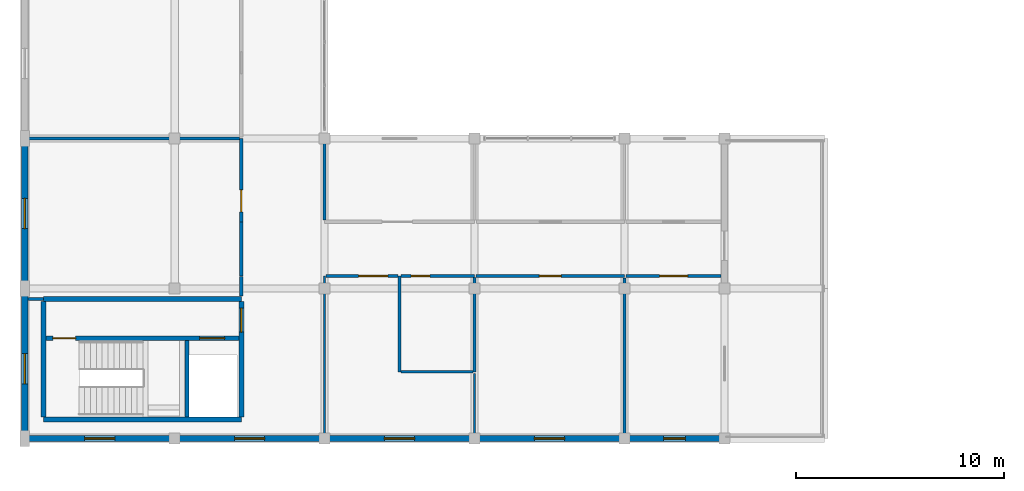
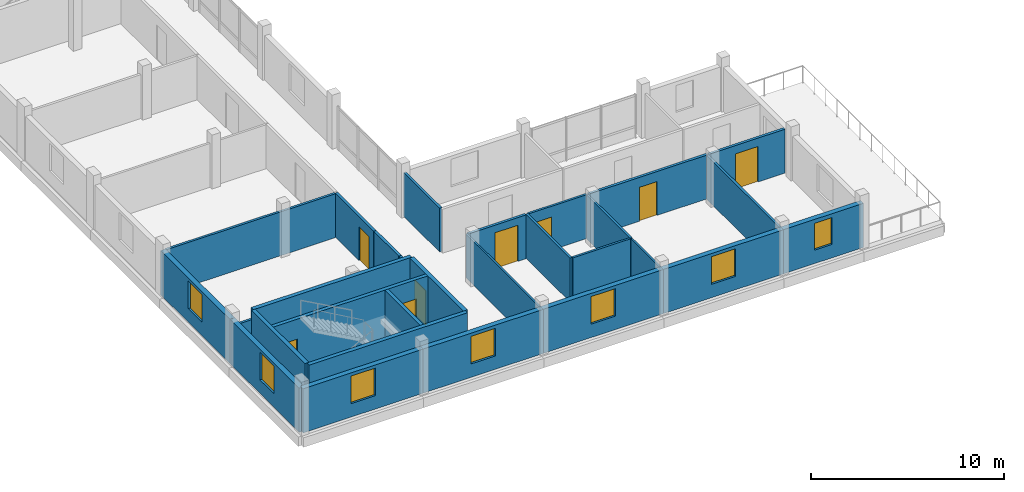
# One storey, part 19 of 26: 29 walls, 8 doors, 7 windows, 15 openings.
"""IFC4 building model written with IfcOpenShell, lengths in metres."""

import ifcopenshell
import ifcopenshell.guid

model = None  # the IFC model being written
_history = None  # IfcOwnerHistory: only IFC2X3 demands one
_inside = {}  # id of a spatial element -> (the spatial element, [elements in it])
_under = {}  # id of a project, library or spatial element -> (it, [spatial elements below it])
_declared = {}  # id of a project -> (the project, [libraries it declares])
_typed = {}  # id of a type object -> (the type object, [elements of that type])
_made_of = {}  # id of a material, layer set ... -> (it, [elements and type objects made of it])


def new_model(schema):
    """Start an empty IFC model of exactly this schema.

    Asked for "IFC4X3", IfcOpenShell would pick the latest addendum, in which some entities
    have other attributes; the version numbers below select the first issue.
    IFC2X3 requires an IfcOwnerHistory on every rooted entity: one is made here for all.
    """
    global model, _history
    if schema == "IFC4X3":
        model = ifcopenshell.file(schema_version=(4, 3, 0, 0))
    else:
        model = ifcopenshell.file(schema=schema)
    _inside.clear()
    _under.clear()
    _declared.clear()
    _typed.clear()
    _made_of.clear()
    _history = None
    if model.schema == "IFC2X3":
        org = make("IfcOrganization", Name="unknown")
        user = make(
            "IfcPersonAndOrganization",
            ThePerson=make("IfcPerson", FamilyName="unknown"),
            TheOrganization=org,
        )
        app = make(
            "IfcApplication",
            ApplicationDeveloper=org,
            Version="unknown",
            ApplicationFullName="unknown",
            ApplicationIdentifier="unknown",
        )
        _history = make(
            "IfcOwnerHistory",
            OwningUser=user,
            OwningApplication=app,
            ChangeAction="ADDED",
            CreationDate=0,
        )
    return model


def make(cls, **values):
    """One entity of the class cls with the attributes given. An attribute that is None is left unset."""
    return model.create_entity(
        cls, **{name: value for name, value in values.items() if value is not None}
    )


def rooted(cls, **values):
    """An entity with a GlobalId (a new one), such as an element, a storey or a relation."""
    return make(cls, GlobalId=ifcopenshell.guid.new(), OwnerHistory=_history, **values)


def si_unit(unit_type, name, prefix=None):
    """IfcSIUnit, for example si_unit("LENGTHUNIT", "METRE", prefix="MILLI")."""
    return make("IfcSIUnit", UnitType=unit_type, Prefix=prefix, Name=name)


def assignment(units):
    """IfcUnitAssignment: the units of a project."""
    return None if units is None else make("IfcUnitAssignment", Units=units)


def point(xyz):
    """IfcCartesianPoint."""
    return None if xyz is None else make("IfcCartesianPoint", Coordinates=xyz)


def direction(xyz):
    """IfcDirection."""
    return None if xyz is None else make("IfcDirection", DirectionRatios=xyz)


def frame(location, z_axis=None, x_axis=None):
    """IfcAxis2Placement3D, a coordinate frame: its origin and axes. An axis left out is left unset."""
    return make(
        "IfcAxis2Placement3D",
        Location=point(location),
        Axis=direction(z_axis),
        RefDirection=direction(x_axis),
    )


def frame_2d(location, x_axis=None):
    """IfcAxis2Placement2D, a coordinate frame in the plane: its origin and x axis."""
    return make(
        "IfcAxis2Placement2D", Location=point(location), RefDirection=direction(x_axis)
    )


def origin():
    """The frame at (0, 0, 0) with its axes left unset."""
    return frame((0.0, 0.0, 0.0))


def origin_with_axes():
    """The frame at (0, 0, 0) with the z axis (0, 0, 1) and the x axis (1, 0, 0) written out."""
    return frame((0.0, 0.0, 0.0), z_axis=(0.0, 0.0, 1.0), x_axis=(1.0, 0.0, 0.0))


def place(relative_to, where):
    """IfcLocalPlacement: puts the frame where relative to a parent placement (None: the world)."""
    return make(
        "IfcLocalPlacement", PlacementRelTo=relative_to, RelativePlacement=where
    )


def context(
    kind, dimensions, precision=None, world=None, true_north=None, identifier=None
):
    """IfcGeometricRepresentationContext, for example the 3D "Model" context."""
    return make(
        "IfcGeometricRepresentationContext",
        ContextIdentifier=identifier,
        ContextType=kind,
        CoordinateSpaceDimension=dimensions,
        Precision=precision,
        WorldCoordinateSystem=world,
        TrueNorth=true_north,
    )


def subcontext(parent, identifier, kind, view, scale=None):
    """IfcGeometricRepresentationSubContext, for example "Body" below "Model"."""
    return make(
        "IfcGeometricRepresentationSubContext",
        ContextIdentifier=identifier,
        ContextType=kind,
        ParentContext=parent,
        TargetScale=scale,
        TargetView=view,
    )


def project(units=None, contexts=None):
    """IfcProject with its units and contexts."""
    return rooted(
        "IfcProject",
        Name="project",
        RepresentationContexts=contexts,
        UnitsInContext=assignment(units),
    )


def spatial(cls, under=None, at=None, **own):
    """A site, building, storey or space (cls), placed at a placement, below another one or the project."""
    s = rooted(cls, ObjectPlacement=at, **own)
    if under is not None:
        _under.setdefault(under.id(), (under, []))[1].append(s)
    return s


def profile(cls, at=None, kind="AREA", **sizes):
    """A parametric profile (cls). Its sizes go by their IFC names, for example OverallWidth=200.0."""
    return make(cls, ProfileType=kind, Position=at, **sizes)


def rectangle(**sizes):
    """IfcRectangleProfileDef."""
    return profile("IfcRectangleProfileDef", **sizes)


def extrude(swept, where, along, depth):
    """IfcExtrudedAreaSolid: the profile swept, set in the frame where, extruded along a direction by depth."""
    return make(
        "IfcExtrudedAreaSolid",
        SweptArea=swept,
        Position=where,
        ExtrudedDirection=direction(along),
        Depth=depth,
    )


def shape(context_of_items, identifier, shape_type, items):
    """IfcShapeRepresentation: the items that make up one representation, for example the "Body"."""
    return make(
        "IfcShapeRepresentation",
        ContextOfItems=context_of_items,
        RepresentationIdentifier=identifier,
        RepresentationType=shape_type,
        Items=items,
    )


def material(Name=None, Category=None):
    """IfcMaterial."""
    return make("IfcMaterial", Name=Name, Category=Category)


def layer(
    of_material, thickness, ventilated=None, Name=None, Category=None, Priority=None
):
    """IfcMaterialLayer: one layer of a wall or slab, of a material (None: an air gap)."""
    return make(
        "IfcMaterialLayer",
        Material=of_material,
        LayerThickness=thickness,
        IsVentilated=ventilated,
        Name=Name,
        Category=Category,
        Priority=Priority,
    )


def layer_set(layers, Name=None):
    """IfcMaterialLayerSet."""
    return make("IfcMaterialLayerSet", MaterialLayers=layers, LayerSetName=Name)


def made_of(thing, what):
    """Note that an element or type object is made of a material, layer set ...; save() writes the relation."""
    if what is not None:
        _made_of.setdefault(what.id(), (what, []))[1].append(thing)
    return thing


def type_object(cls, material=None, **own):
    """A type object (cls), such as IfcWallType, which elements share."""
    return made_of(rooted(cls, **own), material)


def element(
    cls,
    number,
    at=None,
    inside=None,
    cuts=None,
    type_object=None,
    material=None,
    context=None,
    identifier="Body",
    shape_type=None,
    held_by="IfcProductDefinitionShape",
    body=None,
    shapes=None,
    **own,
):
    """One element of the class cls, such as IfcWall. Its Tag is "e" and its number.

    at: its placement. inside: the storey or other place that contains it. cuts: it is an
    opening in that element (IfcRelVoidsElement). A single representation is given by context,
    identifier, shape_type and body (its items); several are given by shapes. held_by: the class
    of the entity that holds the representations. save() writes the other relations.
    """
    e = rooted(cls, Tag="e%d" % number, ObjectPlacement=at, **own)
    if body is not None:
        shapes = [shape(context, identifier, shape_type, body)]
    if shapes is not None:
        e.Representation = make(held_by, Representations=shapes)
    if inside is not None:
        _inside.setdefault(inside.id(), (inside, []))[1].append(e)
    if cuts is not None:
        rooted(
            "IfcRelVoidsElement", RelatingBuildingElement=cuts, RelatedOpeningElement=e
        )
    if type_object is not None:
        _typed.setdefault(type_object.id(), (type_object, []))[1].append(e)
    return made_of(e, material)


def fill(opening, filler):
    """IfcRelFillsElement: the door or window that sits in an opening."""
    return rooted(
        "IfcRelFillsElement",
        RelatingOpeningElement=opening,
        RelatedBuildingElement=filler,
    )


def aggregate(whole, parts):
    """IfcRelAggregates: a whole, such as a stair, and the parts it consists of."""
    return rooted("IfcRelAggregates", RelatingObject=whole, RelatedObjects=parts)


def save(model, path):
    """Write the relations noted so far, then the file.

    IfcRelAggregates (storeys below a building ...), IfcRelContainedInSpatialStructure (elements
    in a storey), IfcRelDefinesByType, IfcRelAssociatesMaterial and IfcRelDeclares: one each for
    every whole, place, type object, material and project.
    """
    for whole, parts in _under.values():
        aggregate(whole, parts)
    for where, things in _inside.values():
        rooted(
            "IfcRelContainedInSpatialStructure",
            RelatedElements=things,
            RelatingStructure=where,
        )
    for kind, things in _typed.values():
        rooted("IfcRelDefinesByType", RelatedObjects=things, RelatingType=kind)
    for what, things in _made_of.values():
        rooted("IfcRelAssociatesMaterial", RelatedObjects=things, RelatingMaterial=what)
    for by, libraries in _declared.values():
        rooted("IfcRelDeclares", RelatingContext=by, RelatedDefinitions=libraries)
    model.write(path)


model = new_model("IFC4")

# Units and contexts
model_context = context("Model", 3, precision=1e-05, world=origin(), true_north=direction((0.0, 1.0)))
body_context = subcontext(model_context, "Body", "Model", "MODEL_VIEW")
ifc_project = project(units=[si_unit("LENGTHUNIT", "METRE"), si_unit("AREAUNIT", "SQUARE_METRE"), si_unit("VOLUMEUNIT", "CUBIC_METRE"), si_unit("PLANEANGLEUNIT", "RADIAN"), si_unit("MASSUNIT", "GRAM", prefix="KILO")], contexts=[model_context])

# Site, building, storey
site_placement = place(None, origin())
site = spatial("IfcSite", under=ifc_project, at=site_placement, CompositionType="ELEMENT")
building_placement = place(site_placement, origin())
building = spatial("IfcBuilding", under=site, at=building_placement, Name="Zornivar Specialist Clinic", CompositionType="ELEMENT")
storey_placement = place(building_placement, frame((0.0, 0.0, 19.699951171875)))
storey = spatial("IfcBuildingStorey", under=building, at=storey_placement, Name="L05", CompositionType="ELEMENT", Elevation=19.699951171875)

# Wall, opening, window
ifc_material_1 = material(Name="Masonry Timber-Clad Insulated Upper Cumba Wall", Category="masonry")
ifc_layer_1 = layer(ifc_material_1, 0.300048828125)
ifc_layer_set_1 = layer_set([ifc_layer_1], Name="Masonry Timber-Clad Insulated Upper Cumba Wall")
wall_type_1 = type_object("IfcWallType", Name="EW-CUMBA-300", PredefinedType="SOLIDWALL", material=ifc_layer_set_1)
wall_1_placement = place(storey_placement, origin_with_axes())
wall_1 = element("IfcWall", 1, at=wall_1_placement, inside=storey, type_object=wall_type_1, Name="ew:V2:L05:00", PredefinedType="SOLIDWALL", context=body_context, shape_type="SweptSolid", body=[
    extrude(rectangle(XDim=7.199951171875, YDim=0.300048828125, at=frame_2d((3.60009765625, 0.0))), origin(), (0.0, 0.0, 1.0), 2.800048828125),
])
opening_1_placement = place(wall_1_placement, frame((2.875, 0.0, 0.85009765625)))
opening_1 = element("IfcOpeningElement", 2, at=opening_1_placement, cuts=wall_1, Name="Opening W-08", PredefinedType="OPENING", context=body_context, shape_type="SweptSolid", body=[
    extrude(rectangle(XDim=1.449951171875, YDim=1.75, at=frame_2d((0.72509765625, 0.875))), frame((0.0, 0.159912109375, 0.0), z_axis=(0.0, -1.0, 0.0), x_axis=(1.0, 0.0, 0.0)), (0.0, 0.0, 1.0), 0.320068359375),
])
ifc_material_2 = material(Name="Triple-Glazed Aluminium-Timber Window Glass", Category="wood")
window_type_1 = type_object("IfcWindowType", Name="WIN-CUMBA-STREET-1450x1750", PartitioningType="SINGLE_PANEL", PredefinedType="WINDOW", material=ifc_material_2)
window_1_placement = place(opening_1_placement, origin())
window_1 = element("IfcWindow", 3, at=window_1_placement, inside=storey, type_object=window_type_1, Name="win:V2:L05:00", OverallHeight=1.75, OverallWidth=1.449951171875, PartitioningType="SINGLE_PANEL", PredefinedType="WINDOW", context=body_context, shape_type="SweptSolid", body=[
    extrude(rectangle(XDim=1.449951171875, YDim=1.75, at=frame_2d((0.72509765625, 0.875))), frame((0.0, 0.030029296875, 0.0), z_axis=(0.0, -1.0, 0.0), x_axis=(1.0, 0.0, 0.0)), (0.0, 0.0, 1.0), 0.06005859375),
])
fill(opening_1, window_1)

wall_2_placement = place(storey_placement, frame((7.199951171875, 0.0, 0.0), z_axis=(0.0, 0.0, 1.0), x_axis=(1.0, 0.0, 0.0)))
wall_2 = element("IfcWall", 4, at=wall_2_placement, inside=storey, type_object=wall_type_1, Name="ew:V2:L05:01", PredefinedType="SOLIDWALL", context=body_context, shape_type="SweptSolid", body=[
    extrude(rectangle(XDim=7.199951171875, YDim=0.300048828125, at=frame_2d((3.60009765625, 0.0))), origin(), (0.0, 0.0, 1.0), 2.800048828125),
])
opening_2_placement = place(wall_2_placement, frame((2.875, 0.0, 0.85009765625)))
opening_2 = element("IfcOpeningElement", 5, at=opening_2_placement, cuts=wall_2, Name="Opening W-08", PredefinedType="OPENING", context=body_context, shape_type="SweptSolid", body=[
    extrude(rectangle(XDim=1.449951171875, YDim=1.75, at=frame_2d((0.72509765625, 0.875))), frame((0.0, 0.159912109375, 0.0), z_axis=(0.0, -1.0, 0.0), x_axis=(1.0, 0.0, 0.0)), (0.0, 0.0, 1.0), 0.320068359375),
])
window_2_placement = place(opening_2_placement, origin())
window_2 = element("IfcWindow", 6, at=window_2_placement, inside=storey, type_object=window_type_1, Name="win:V2:L05:01", OverallHeight=1.75, OverallWidth=1.449951171875, PartitioningType="SINGLE_PANEL", PredefinedType="WINDOW", context=body_context, shape_type="SweptSolid", body=[
    extrude(rectangle(XDim=1.449951171875, YDim=1.75, at=frame_2d((0.72509765625, 0.875))), frame((0.0, 0.030029296875, 0.0), z_axis=(0.0, -1.0, 0.0), x_axis=(1.0, 0.0, 0.0)), (0.0, 0.0, 1.0), 0.06005859375),
])
fill(opening_2, window_2)

wall_3_placement = place(storey_placement, frame((14.39990234375, 0.0, 0.0), z_axis=(0.0, 0.0, 1.0), x_axis=(1.0, 0.0, 0.0)))
wall_3 = element("IfcWall", 7, at=wall_3_placement, inside=storey, type_object=wall_type_1, Name="ew:V2:L05:02", PredefinedType="SOLIDWALL", context=body_context, shape_type="SweptSolid", body=[
    extrude(rectangle(XDim=7.2001953125, YDim=0.300048828125, at=frame_2d((3.60009765625, 0.0))), origin(), (0.0, 0.0, 1.0), 2.800048828125),
])
opening_3_placement = place(wall_3_placement, frame((2.875, 0.0, 0.85009765625)))
opening_3 = element("IfcOpeningElement", 8, at=opening_3_placement, cuts=wall_3, Name="Opening W-08", PredefinedType="OPENING", context=body_context, shape_type="SweptSolid", body=[
    extrude(rectangle(XDim=1.449951171875, YDim=1.75, at=frame_2d((0.72509765625, 0.875))), frame((0.0, 0.159912109375, 0.0), z_axis=(0.0, -1.0, 0.0), x_axis=(1.0, 0.0, 0.0)), (0.0, 0.0, 1.0), 0.320068359375),
])
window_3_placement = place(opening_3_placement, origin())
window_3 = element("IfcWindow", 9, at=window_3_placement, inside=storey, type_object=window_type_1, Name="win:V2:L05:02", OverallHeight=1.75, OverallWidth=1.449951171875, PartitioningType="SINGLE_PANEL", PredefinedType="WINDOW", context=body_context, shape_type="SweptSolid", body=[
    extrude(rectangle(XDim=1.449951171875, YDim=1.75, at=frame_2d((0.72509765625, 0.875))), frame((0.0, 0.030029296875, 0.0), z_axis=(0.0, -1.0, 0.0), x_axis=(1.0, 0.0, 0.0)), (0.0, 0.0, 1.0), 0.06005859375),
])
fill(opening_3, window_3)

wall_4_placement = place(storey_placement, frame((21.60009765625, 0.0, 0.0), z_axis=(0.0, 0.0, 1.0), x_axis=(1.0, 0.0, 0.0)))
wall_4 = element("IfcWall", 10, at=wall_4_placement, inside=storey, type_object=wall_type_1, Name="ew:V2:L05:03", PredefinedType="SOLIDWALL", context=body_context, shape_type="SweptSolid", body=[
    extrude(rectangle(XDim=7.199951171875, YDim=0.300048828125, at=frame_2d((3.60009765625, 0.0))), origin(), (0.0, 0.0, 1.0), 2.800048828125),
])
opening_4_placement = place(wall_4_placement, frame((2.875, 0.0, 0.85009765625)))
opening_4 = element("IfcOpeningElement", 11, at=opening_4_placement, cuts=wall_4, Name="Opening W-08", PredefinedType="OPENING", context=body_context, shape_type="SweptSolid", body=[
    extrude(rectangle(XDim=1.449951171875, YDim=1.75, at=frame_2d((0.72509765625, 0.875))), frame((0.0, 0.159912109375, 0.0), z_axis=(0.0, -1.0, 0.0), x_axis=(1.0, 0.0, 0.0)), (0.0, 0.0, 1.0), 0.320068359375),
])
window_4_placement = place(opening_4_placement, origin())
window_4 = element("IfcWindow", 12, at=window_4_placement, inside=storey, type_object=window_type_1, Name="win:V2:L05:03", OverallHeight=1.75, OverallWidth=1.449951171875, PartitioningType="SINGLE_PANEL", PredefinedType="WINDOW", context=body_context, shape_type="SweptSolid", body=[
    extrude(rectangle(XDim=1.449951171875, YDim=1.75, at=frame_2d((0.72509765625, 0.875))), frame((0.0, 0.030029296875, 0.0), z_axis=(0.0, -1.0, 0.0), x_axis=(1.0, 0.0, 0.0)), (0.0, 0.0, 1.0), 0.06005859375),
])
fill(opening_4, window_4)

wall_5_placement = place(storey_placement, frame((28.800048828125, 0.0, 0.0), z_axis=(0.0, 0.0, 1.0), x_axis=(1.0, 0.0, 0.0)))
wall_5 = element("IfcWall", 13, at=wall_5_placement, inside=storey, type_object=wall_type_1, Name="ew:V2:L05:04", PredefinedType="SOLIDWALL", context=body_context, shape_type="SweptSolid", body=[
    extrude(rectangle(XDim=4.800048828125, YDim=0.300048828125, at=frame_2d((2.39990234375, 0.0))), origin(), (0.0, 0.0, 1.0), 2.800048828125),
])
opening_5_placement = place(wall_5_placement, frame((1.875, 0.0, 0.85009765625)))
opening_5 = element("IfcOpeningElement", 14, at=opening_5_placement, cuts=wall_5, Name="Opening W-10", PredefinedType="OPENING", context=body_context, shape_type="SweptSolid", body=[
    extrude(rectangle(XDim=1.050048828125, YDim=1.699951171875, at=frame_2d((0.52490234375, 0.85009765625))), frame((0.0, 0.159912109375, 0.0), z_axis=(0.0, -1.0, 0.0), x_axis=(1.0, 0.0, 0.0)), (0.0, 0.0, 1.0), 0.320068359375),
])
ifc_material_3 = material(Name="Triple-Glazed Aluminium-Timber Window Glass", Category="wood")
window_type_2 = type_object("IfcWindowType", Name="WIN-CUMBA-PIER-1050x1700", PartitioningType="SINGLE_PANEL", PredefinedType="WINDOW", material=ifc_material_3)
window_5_placement = place(opening_5_placement, origin())
window_5 = element("IfcWindow", 15, at=window_5_placement, inside=storey, type_object=window_type_2, Name="win:V2:L05:04", OverallHeight=1.699951171875, OverallWidth=1.050048828125, PartitioningType="SINGLE_PANEL", PredefinedType="WINDOW", context=body_context, shape_type="SweptSolid", body=[
    extrude(rectangle(XDim=1.050048828125, YDim=1.699951171875, at=frame_2d((0.52490234375, 0.85009765625))), frame((0.0, 0.030029296875, 0.0), z_axis=(0.0, -1.0, 0.0), x_axis=(1.0, 0.0, 0.0)), (0.0, 0.0, 1.0), 0.06005859375),
])
fill(opening_5, window_5)

wall_6_placement = place(storey_placement, frame((0.0, 14.39990234375, 0.0), z_axis=(0.0, 0.0, 1.0), x_axis=(0.0, -1.0, 0.0)))
wall_6 = element("IfcWall", 16, at=wall_6_placement, inside=storey, type_object=wall_type_1, Name="ew:V2:L05:22", PredefinedType="SOLIDWALL", context=body_context, shape_type="SweptSolid", body=[
    extrude(rectangle(XDim=7.199951171875, YDim=0.300048828125, at=frame_2d((3.60009765625, 0.0))), origin(), (0.0, 0.0, 1.0), 2.800048828125),
])
opening_6_placement = place(wall_6_placement, frame((2.875, 0.0, 0.85009765625)))
opening_6 = element("IfcOpeningElement", 17, at=opening_6_placement, cuts=wall_6, Name="Opening W-08", PredefinedType="OPENING", context=body_context, shape_type="SweptSolid", body=[
    extrude(rectangle(XDim=1.449951171875, YDim=1.75, at=frame_2d((0.72509765625, 0.875))), frame((0.0, 0.159912109375, 0.0), z_axis=(0.0, -1.0, 0.0), x_axis=(1.0, 0.0, 0.0)), (0.0, 0.0, 1.0), 0.320068359375),
])
window_6_placement = place(opening_6_placement, origin())
window_6 = element("IfcWindow", 18, at=window_6_placement, inside=storey, type_object=window_type_1, Name="win:V2:L05:22", OverallHeight=1.75, OverallWidth=1.449951171875, PartitioningType="SINGLE_PANEL", PredefinedType="WINDOW", context=body_context, shape_type="SweptSolid", body=[
    extrude(rectangle(XDim=1.449951171875, YDim=1.75, at=frame_2d((0.72509765625, 0.875))), frame((0.0, 0.030029296875, 0.0), z_axis=(0.0, -1.0, 0.0), x_axis=(1.0, 0.0, 0.0)), (0.0, 0.0, 1.0), 0.06005859375),
])
fill(opening_6, window_6)

wall_7_placement = place(storey_placement, frame((0.0, 7.199951171875, 0.0), z_axis=(0.0, 0.0, 1.0), x_axis=(0.0, -1.0, 0.0)))
wall_7 = element("IfcWall", 19, at=wall_7_placement, inside=storey, type_object=wall_type_1, Name="ew:V2:L05:23", PredefinedType="SOLIDWALL", context=body_context, shape_type="SweptSolid", body=[
    extrude(rectangle(XDim=7.199951171875, YDim=0.300048828125, at=frame_2d((3.60009765625, 0.0))), origin(), (0.0, 0.0, 1.0), 2.800048828125),
])
opening_7_placement = place(wall_7_placement, frame((3.125, 0.0, 0.85009765625)))
opening_7 = element("IfcOpeningElement", 20, at=opening_7_placement, cuts=wall_7, Name="Opening W-08", PredefinedType="OPENING", context=body_context, shape_type="SweptSolid", body=[
    extrude(rectangle(XDim=1.449951171875, YDim=1.75, at=frame_2d((0.72509765625, 0.875))), frame((0.0, 0.159912109375, 0.0), z_axis=(0.0, -1.0, 0.0), x_axis=(1.0, 0.0, 0.0)), (0.0, 0.0, 1.0), 0.320068359375),
])
window_7_placement = place(opening_7_placement, origin())
window_7 = element("IfcWindow", 21, at=window_7_placement, inside=storey, type_object=window_type_1, Name="win:V2:L05:23", OverallHeight=1.75, OverallWidth=1.449951171875, PartitioningType="SINGLE_PANEL", PredefinedType="WINDOW", context=body_context, shape_type="SweptSolid", body=[
    extrude(rectangle(XDim=1.449951171875, YDim=1.75, at=frame_2d((0.72509765625, 0.875))), frame((0.0, 0.030029296875, 0.0), z_axis=(0.0, -1.0, 0.0), x_axis=(1.0, 0.0, 0.0)), (0.0, 0.0, 1.0), 0.06005859375),
])
fill(opening_7, window_7)

# Walls
ifc_material_4 = material(Name="Acoustic Clinical Stud Partition")
ifc_layer_2 = layer(ifc_material_4, 0.139892578125)
ifc_layer_set_2 = layer_set([ifc_layer_2], Name="Acoustic Clinical Stud Partition")
wall_type_2 = type_object("IfcWallType", Name="IW-CLIN-140", PredefinedType="PARTITIONING", material=ifc_layer_set_2)
wall_8_placement = place(storey_placement, frame((0.89990234375, 6.699951171875, 0.0), z_axis=(0.0, 0.0, 1.0), x_axis=(-1.0, 0.0, 0.0)))
element("IfcWall", 22, at=wall_8_placement, inside=storey, type_object=wall_type_2, Name="iw:L05:003", PredefinedType="PARTITIONING", context=body_context, shape_type="SweptSolid", body=[
    extrude(rectangle(XDim=0.73486328125, YDim=0.139892578125, at=frame_2d((0.367431640625, 0.0))), origin(), (0.0, 0.0, 1.0), 2.780029296875),
])
wall_9_placement = place(storey_placement, frame((0.1650390625, 14.39990234375, 0.0), z_axis=(0.0, 0.0, 1.0), x_axis=(1.0, 0.0, 0.0)))
element("IfcWall", 23, at=wall_9_placement, inside=storey, type_object=wall_type_2, Name="iw:L05:004", PredefinedType="PARTITIONING", context=body_context, shape_type="SweptSolid", body=[
    extrude(rectangle(XDim=10.140869140625, YDim=0.139892578125, at=frame_2d((5.0703125, 0.0))), origin(), (0.0, 0.0, 1.0), 2.780029296875),
])
wall_10_placement = place(storey_placement, frame((14.39990234375, 10.493896484375, 0.0), z_axis=(0.0, 0.0, 1.0), x_axis=(0.0, 1.0, 0.0)))
element("IfcWall", 24, at=wall_10_placement, inside=storey, type_object=wall_type_2, Name="iw:L05:021", PredefinedType="PARTITIONING", context=body_context, shape_type="SweptSolid", body=[
    extrude(rectangle(XDim=3.7412109375, YDim=0.139892578125, at=frame_2d((1.87060546875, 0.0))), origin(), (0.0, 0.0, 1.0), 2.780029296875),
])
wall_11_placement = place(storey_placement, frame((28.800048828125, 7.7060546875, 0.0), z_axis=(0.0, 0.0, 1.0), x_axis=(0.0, -1.0, 0.0)))
element("IfcWall", 25, at=wall_11_placement, inside=storey, type_object=wall_type_2, Name="iw:L05:024", PredefinedType="PARTITIONING", context=body_context, shape_type="SweptSolid", body=[
    extrude(rectangle(XDim=7.541015625, YDim=0.139892578125, at=frame_2d((3.7705078125, 0.0))), origin(), (0.0, 0.0, 1.0), 2.780029296875),
])

# Wall, opening, door
ifc_material_5 = material(Name="Gypsum Fire-Rated Double Stud Partition")
ifc_layer_3 = layer(ifc_material_5, 0.159912109375)
ifc_layer_set_3 = layer_set([ifc_layer_3], Name="Gypsum Fire-Rated Double Stud Partition")
wall_type_3 = type_object("IfcWallType", Name="IW-CORR-EI60-160", PredefinedType="PARTITIONING", material=ifc_layer_set_3)
wall_12_placement = place(storey_placement, frame((10.39990234375, 14.39990234375, 0.0), z_axis=(0.0, 0.0, 1.0), x_axis=(0.0, -1.0, 0.0)))
wall_12 = element("IfcWall", 26, at=wall_12_placement, inside=storey, type_object=wall_type_3, Name="iw:L05:000", PredefinedType="PARTITIONING", context=body_context, shape_type="SweptSolid", body=[
    extrude(rectangle(XDim=4.0, YDim=0.159912109375, at=frame_2d((2.0, 0.0))), origin(), (0.0, 0.0, 1.0), 2.780029296875),
])
opening_8_placement = place(wall_12_placement, frame((2.469970703125, 0.0, 0.0)))
opening_8 = element("IfcOpeningElement", 27, at=opening_8_placement, cuts=wall_12, Name="Opening ID-03", PredefinedType="OPENING", context=body_context, shape_type="SweptSolid", body=[
    extrude(rectangle(XDim=1.050048828125, YDim=2.14990234375, at=frame_2d((0.52490234375, 1.074951171875))), frame((0.0, 0.08984375, 0.0), z_axis=(0.0, -1.0, 0.0), x_axis=(1.0, 0.0, 0.0)), (0.0, 0.0, 1.0), 0.179931640625),
])
ifc_material_6 = material(Name="Solid-Core Hygienic Laminate Timber Door", Category="wood")
door_type_1 = type_object("IfcDoorType", Name="ID-CONS-1050x2150", OperationType="NOTDEFINED", PredefinedType="DOOR", material=ifc_material_6)
door_1_placement = place(opening_8_placement, origin())
door_1 = element("IfcDoor", 28, at=door_1_placement, inside=storey, type_object=door_type_1, Name="door:space:V2:L05:rm:00", OperationType="SINGLE_SWING_LEFT", OverallHeight=2.14990234375, OverallWidth=1.050048828125, PredefinedType="DOOR", context=body_context, shape_type="SweptSolid", body=[
    extrude(rectangle(XDim=1.050048828125, YDim=2.14990234375, at=frame_2d((0.52490234375, 1.074951171875))), frame((0.0, 0.02490234375, 0.0), z_axis=(0.0, -1.0, 0.0), x_axis=(1.0, 0.0, 0.0)), (0.0, 0.0, 1.0), 0.050048828125),
])
fill(opening_8, door_1)

# Walls
wall_13_placement = place(storey_placement, frame((10.39990234375, 10.387939453125, 0.0), z_axis=(0.0, 0.0, 1.0), x_axis=(0.0, -1.0, 0.0)))
element("IfcWall", 29, at=wall_13_placement, inside=storey, type_object=wall_type_3, Name="iw:L05:001", PredefinedType="PARTITIONING", context=body_context, shape_type="SweptSolid", body=[
    extrude(rectangle(XDim=2.587890625, YDim=0.159912109375, at=frame_2d((1.2939453125, 0.0))), origin(), (0.0, 0.0, 1.0), 2.780029296875),
])
wall_14_placement = place(storey_placement, frame((10.39990234375, 7.7880859375, 0.0), z_axis=(0.0, 0.0, 1.0), x_axis=(0.0, -1.0, 0.0)))
element("IfcWall", 30, at=wall_14_placement, inside=storey, type_object=wall_type_3, Name="iw:L05:002", PredefinedType="PARTITIONING", context=body_context, shape_type="SweptSolid", body=[
    extrude(rectangle(XDim=0.953125, YDim=0.159912109375, at=frame_2d((0.4765625, 0.0))), origin(), (0.0, 0.0, 1.0), 2.780029296875),
])

# Wall, opening, door
wall_15_placement = place(storey_placement, frame((14.468994140625, 7.800048828125, 0.0), z_axis=(0.0, 0.0, 1.0), x_axis=(1.0, 0.0, 0.0)))
wall_15 = element("IfcWall", 31, at=wall_15_placement, inside=storey, type_object=wall_type_3, Name="iw:L05:018", PredefinedType="PARTITIONING", context=body_context, shape_type="SweptSolid", body=[
    extrude(rectangle(XDim=3.451904296875, YDim=0.159912109375, at=frame_2d((1.72607421875, 0.0))), origin(), (0.0, 0.0, 1.0), 2.780029296875),
])
opening_9_placement = place(wall_15_placement, frame((1.572021484375, 0.0, 0.0)))
opening_9 = element("IfcOpeningElement", 32, at=opening_9_placement, cuts=wall_15, Name="Opening ID-12", PredefinedType="OPENING", context=body_context, shape_type="SweptSolid", body=[
    extrude(rectangle(XDim=1.39990234375, YDim=2.300048828125, at=frame_2d((0.699951171875, 1.14990234375))), frame((0.0, 0.08984375, 0.0), z_axis=(0.0, -1.0, 0.0), x_axis=(1.0, 0.0, 0.0)), (0.0, 0.0, 1.0), 0.179931640625),
])
ifc_material_7 = material(Name="Solid-Core Hygienic Laminate Timber Door", Category="wood")
door_type_2 = type_object("IfcDoorType", Name="ID-WAIT-1400x2300", OperationType="NOTDEFINED", PredefinedType="DOOR", material=ifc_material_7)
door_2_placement = place(opening_9_placement, origin())
door_2 = element("IfcDoor", 33, at=door_2_placement, inside=storey, type_object=door_type_2, Name="door:space:V2:L05:rm:05b", OperationType="DOUBLE_DOOR_SINGLE_SWING", OverallHeight=2.300048828125, OverallWidth=1.39990234375, PredefinedType="DOOR", context=body_context, shape_type="SweptSolid", body=[
    extrude(rectangle(XDim=1.39990234375, YDim=2.300048828125, at=frame_2d((0.699951171875, 1.14990234375))), frame((0.0, 0.02490234375, 0.0), z_axis=(0.0, -1.0, 0.0), x_axis=(1.0, 0.0, 0.0)), (0.0, 0.0, 1.0), 0.050048828125),
])
fill(opening_9, door_2)

wall_16_placement = place(storey_placement, frame((21.678955078125, 7.800048828125, 0.0), z_axis=(0.0, 0.0, 1.0), x_axis=(1.0, 0.0, 0.0)))
wall_16 = element("IfcWall", 34, at=wall_16_placement, inside=storey, type_object=wall_type_3, Name="iw:L05:023", PredefinedType="PARTITIONING", context=body_context, shape_type="SweptSolid", body=[
    extrude(rectangle(XDim=7.12109375, YDim=0.159912109375, at=frame_2d((3.560546875, 0.0))), origin(), (0.0, 0.0, 1.0), 2.780029296875),
])
opening_10_placement = place(wall_16_placement, frame((3.035888671875, 0.0, 0.0)))
opening_10 = element("IfcOpeningElement", 35, at=opening_10_placement, cuts=wall_16, Name="Opening ID-03", PredefinedType="OPENING", context=body_context, shape_type="SweptSolid", body=[
    extrude(rectangle(XDim=1.050048828125, YDim=2.14990234375, at=frame_2d((0.52490234375, 1.074951171875))), frame((0.0, 0.08984375, 0.0), z_axis=(0.0, -1.0, 0.0), x_axis=(1.0, 0.0, 0.0)), (0.0, 0.0, 1.0), 0.179931640625),
])
door_3_placement = place(opening_10_placement, origin())
door_3 = element("IfcDoor", 36, at=door_3_placement, inside=storey, type_object=door_type_1, Name="door:space:V2:L05:rm:08", OperationType="SINGLE_SWING_LEFT", OverallHeight=2.14990234375, OverallWidth=1.050048828125, PredefinedType="DOOR", context=body_context, shape_type="SweptSolid", body=[
    extrude(rectangle(XDim=1.050048828125, YDim=2.14990234375, at=frame_2d((0.52490234375, 1.074951171875))), frame((0.0, 0.02490234375, 0.0), z_axis=(0.0, -1.0, 0.0), x_axis=(1.0, 0.0, 0.0)), (0.0, 0.0, 1.0), 0.050048828125),
])
fill(opening_10, door_3)

wall_17_placement = place(storey_placement, frame((28.884033203125, 7.800048828125, 0.0), z_axis=(0.0, 0.0, 1.0), x_axis=(1.0, 0.0, 0.0)))
wall_17 = element("IfcWall", 37, at=wall_17_placement, inside=storey, type_object=wall_type_3, Name="iw:L05:027", PredefinedType="PARTITIONING", context=body_context, shape_type="SweptSolid", body=[
    extrude(rectangle(XDim=4.551025390625, YDim=0.159912109375, at=frame_2d((2.275390625, 0.0))), origin(), (0.0, 0.0, 1.0), 2.780029296875),
])
opening_11_placement = place(wall_17_placement, frame((1.60107421875, 0.0, 0.0)))
opening_11 = element("IfcOpeningElement", 38, at=opening_11_placement, cuts=wall_17, Name="Opening ID-10", PredefinedType="OPENING", context=body_context, shape_type="SweptSolid", body=[
    extrude(rectangle(XDim=1.35009765625, YDim=2.25, at=frame_2d((0.675048828125, 1.125))), frame((0.0, 0.08984375, 0.0), z_axis=(0.0, -1.0, 0.0), x_axis=(1.0, 0.0, 0.0)), (0.0, 0.0, 1.0), 0.179931640625),
])
ifc_material_8 = material(Name="Solid-Core Hygienic Laminate Timber Door", Category="wood")
door_type_3 = type_object("IfcDoorType", Name="ID-TEACH-1350x2250", OperationType="NOTDEFINED", PredefinedType="DOOR", material=ifc_material_8)
door_4_placement = place(opening_11_placement, origin())
door_4 = element("IfcDoor", 39, at=door_4_placement, inside=storey, type_object=door_type_3, Name="door:space:V2:L05:rm:10", OperationType="SINGLE_SWING_LEFT", OverallHeight=2.25, OverallWidth=1.35009765625, PredefinedType="DOOR", context=body_context, shape_type="SweptSolid", body=[
    extrude(rectangle(XDim=1.35009765625, YDim=2.25, at=frame_2d((0.675048828125, 1.125))), frame((0.0, 0.02490234375, 0.0), z_axis=(0.0, -1.0, 0.0), x_axis=(1.0, 0.0, 0.0)), (0.0, 0.0, 1.0), 0.050048828125),
])
fill(opening_11, door_4)

# Walls
ifc_material_9 = material(Name="Acoustic Sub-Waiting Alcove Partition")
ifc_layer_4 = layer(ifc_material_9, 0.110107421875)
ifc_layer_set_4 = layer_set([ifc_layer_4], Name="Acoustic Sub-Waiting Alcove Partition")
wall_type_4 = type_object("IfcWallType", Name="IW-SUBWAIT-110", PredefinedType="PARTITIONING", material=ifc_layer_set_4)
wall_18_placement = place(storey_placement, frame((14.39990234375, 0.1650390625, 0.0), z_axis=(0.0, 0.0, 1.0), x_axis=(0.0, 1.0, 0.0)))
element("IfcWall", 40, at=wall_18_placement, inside=storey, type_object=wall_type_4, Name="iw:L05:017", PredefinedType="PARTITIONING", context=body_context, shape_type="SweptSolid", body=[
    extrude(rectangle(XDim=7.635009765625, YDim=0.110107421875, at=frame_2d((3.8173828125, 0.0))), origin(), (0.0, 0.0, 1.0), 2.780029296875),
])
wall_19_placement = place(storey_placement, frame((21.60009765625, 3.12109375, 0.0), z_axis=(0.0, 0.0, 1.0), x_axis=(0.0, -1.0, 0.0)))
element("IfcWall", 41, at=wall_19_placement, inside=storey, type_object=wall_type_4, Name="iw:L05:019", PredefinedType="PARTITIONING", context=body_context, shape_type="SweptSolid", body=[
    extrude(rectangle(XDim=2.9560546875, YDim=0.110107421875, at=frame_2d((1.47802734375, 0.0))), origin(), (0.0, 0.0, 1.0), 2.780029296875),
])
ifc_material_10 = material(Name="Moisture-Resistant Sanitary Partition")
ifc_layer_5 = layer(ifc_material_10, 0.1298828125)
ifc_layer_set_5 = layer_set([ifc_layer_5], Name="Moisture-Resistant Sanitary Partition")
wall_type_5 = type_object("IfcWallType", Name="IW-WET-130", PredefinedType="PARTITIONING", material=ifc_layer_set_5)
wall_20_placement = place(storey_placement, frame((18.0, 3.199951171875, 0.0), z_axis=(0.0, 0.0, 1.0), x_axis=(0.0, 1.0, 0.0)))
element("IfcWall", 42, at=wall_20_placement, inside=storey, type_object=wall_type_5, Name="iw:L05:013", PredefinedType="PARTITIONING", context=body_context, shape_type="SweptSolid", body=[
    extrude(rectangle(XDim=4.60009765625, YDim=0.1298828125, at=frame_2d((2.300048828125, 0.0))), origin(), (0.0, 0.0, 1.0), 2.780029296875),
])

# Wall, opening, door
wall_21_placement = place(storey_placement, frame((18.0791015625, 7.800048828125, 0.0), z_axis=(0.0, 0.0, 1.0), x_axis=(1.0, 0.0, 0.0)))
wall_21 = element("IfcWall", 43, at=wall_21_placement, inside=storey, type_object=wall_type_5, Name="iw:L05:014", PredefinedType="PARTITIONING", context=body_context, shape_type="SweptSolid", body=[
    extrude(rectangle(XDim=3.52099609375, YDim=0.1298828125, at=frame_2d((1.760498046875, 0.0))), origin(), (0.0, 0.0, 1.0), 2.780029296875),
])
opening_12_placement = place(wall_21_placement, frame((0.47998046875, 0.0, 0.0)))
opening_12 = element("IfcOpeningElement", 44, at=opening_12_placement, cuts=wall_21, Name="Opening ID-08", PredefinedType="OPENING", context=body_context, shape_type="SweptSolid", body=[
    extrude(rectangle(XDim=0.89990234375, YDim=2.10009765625, at=frame_2d((0.449951171875, 1.050048828125))), frame((0.0, 0.074951171875, 0.0), z_axis=(0.0, -1.0, 0.0), x_axis=(1.0, 0.0, 0.0)), (0.0, 0.0, 1.0), 0.14990234375),
])
ifc_material_11 = material(Name="Solid-Core Hygienic Laminate Timber Door", Category="wood")
door_type_4 = type_object("IfcDoorType", Name="ID-WC-STD-0900x2100", OperationType="NOTDEFINED", PredefinedType="DOOR", material=ifc_material_11)
door_5_placement = place(opening_12_placement, origin())
door_5 = element("IfcDoor", 45, at=door_5_placement, inside=storey, type_object=door_type_4, Name="door:space:V2:L05:rm:05", OperationType="SINGLE_SWING_RIGHT", OverallHeight=2.10009765625, OverallWidth=0.89990234375, PredefinedType="DOOR", context=body_context, shape_type="SweptSolid", body=[
    extrude(rectangle(XDim=0.89990234375, YDim=2.10009765625, at=frame_2d((0.449951171875, 1.050048828125))), frame((0.0, 0.02490234375, 0.0), z_axis=(0.0, -1.0, 0.0), x_axis=(1.0, 0.0, 0.0)), (0.0, 0.0, 1.0), 0.050048828125),
])
fill(opening_12, door_5)

# Walls
wall_22_placement = place(storey_placement, frame((21.60009765625, 7.720947265625, 0.0), z_axis=(0.0, 0.0, 1.0), x_axis=(0.0, -1.0, 0.0)))
element("IfcWall", 46, at=wall_22_placement, inside=storey, type_object=wall_type_5, Name="iw:L05:015", PredefinedType="PARTITIONING", context=body_context, shape_type="SweptSolid", body=[
    extrude(rectangle(XDim=4.52099609375, YDim=0.1298828125, at=frame_2d((2.260498046875, 0.0))), origin(), (0.0, 0.0, 1.0), 2.780029296875),
])
wall_23_placement = place(storey_placement, frame((21.52099609375, 3.199951171875, 0.0), z_axis=(0.0, 0.0, 1.0), x_axis=(-1.0, 0.0, 0.0)))
element("IfcWall", 47, at=wall_23_placement, inside=storey, type_object=wall_type_5, Name="iw:L05:016", PredefinedType="PARTITIONING", context=body_context, shape_type="SweptSolid", body=[
    extrude(rectangle(XDim=3.44189453125, YDim=0.1298828125, at=frame_2d((1.720947265625, 0.0))), origin(), (0.0, 0.0, 1.0), 2.780029296875),
])
ifc_material_12 = material(Name="Concrete C35/45", Category="concrete")
ifc_layer_6 = layer(ifc_material_12, 0.239990234375)
ifc_layer_set_6 = layer_set([ifc_layer_6], Name="Concrete C35/45")
wall_type_6 = type_object("IfcWallType", Name="SW-CORE-240", PredefinedType="SHEAR", material=ifc_layer_set_6)
wall_24_placement = place(storey_placement, frame((0.89990234375, 0.89990234375, 0.0), z_axis=(0.0, 0.0, 1.0), x_axis=(1.0, 0.0, 0.0)))
element("IfcWall", 48, at=wall_24_placement, inside=storey, type_object=wall_type_6, Name="sw:C1:L05:w0", PredefinedType="SHEAR", context=body_context, shape_type="SweptSolid", body=[
    extrude(rectangle(XDim=9.5, YDim=0.239990234375, at=frame_2d((4.75, 0.0))), origin(), (0.0, 0.0, 1.0), 3.420166015625),
])

# Wall, opening, door
wall_25_placement = place(storey_placement, frame((10.39990234375, 1.02001953125, 0.0), z_axis=(0.0, 0.0, 1.0), x_axis=(0.0, 1.0, 0.0)))
wall_25 = element("IfcWall", 49, at=wall_25_placement, inside=storey, type_object=wall_type_6, Name="sw:C1:L05:w1", PredefinedType="SHEAR", context=body_context, shape_type="SweptSolid", body=[
    extrude(rectangle(XDim=5.56005859375, YDim=0.239990234375, at=frame_2d((2.780029296875, 0.0))), origin(), (0.0, 0.0, 1.0), 3.420166015625),
])
opening_13_placement = place(wall_25_placement, frame((4.090087890625, 0.0, 0.0)))
opening_13 = element("IfcOpeningElement", 50, at=opening_13_placement, cuts=wall_25, Name="Opening FD-03", PredefinedType="OPENING", context=body_context, shape_type="SweptSolid", body=[
    extrude(rectangle(XDim=1.14990234375, YDim=2.199951171875, at=frame_2d((0.574951171875, 1.10009765625))), frame((0.0, 0.1298828125, 0.0), z_axis=(0.0, -1.0, 0.0), x_axis=(1.0, 0.0, 0.0)), (0.0, 0.0, 1.0), 0.260009765625),
])
ifc_material_13 = material(Name="Solid-Core Hygienic Laminate Timber Door", Category="wood")
door_type_5 = type_object("IfcDoorType", Name="FD-LOBBY-UPPER-1150x2200", OperationType="NOTDEFINED", PredefinedType="DOOR", material=ifc_material_13)
door_6_placement = place(opening_13_placement, origin())
door_6 = element("IfcDoor", 51, at=door_6_placement, inside=storey, type_object=door_type_5, Name="door:C1:L05:lob", OperationType="SINGLE_SWING_RIGHT", OverallHeight=2.199951171875, OverallWidth=1.14990234375, PredefinedType="DOOR", context=body_context, shape_type="SweptSolid", body=[
    extrude(rectangle(XDim=1.14990234375, YDim=2.199951171875, at=frame_2d((0.574951171875, 1.10009765625))), frame((0.0, 0.02490234375, 0.0), z_axis=(0.0, -1.0, 0.0), x_axis=(1.0, 0.0, 0.0)), (0.0, 0.0, 1.0), 0.050048828125),
])
fill(opening_13, door_6)

# Walls
wall_26_placement = place(storey_placement, frame((10.39990234375, 6.699951171875, 0.0), z_axis=(0.0, 0.0, 1.0), x_axis=(-1.0, 0.0, 0.0)))
element("IfcWall", 52, at=wall_26_placement, inside=storey, type_object=wall_type_6, Name="sw:C1:L05:w2", PredefinedType="SHEAR", context=body_context, shape_type="SweptSolid", body=[
    extrude(rectangle(XDim=9.5, YDim=0.239990234375, at=frame_2d((4.75, 0.0))), origin(), (0.0, 0.0, 1.0), 3.420166015625),
])
wall_27_placement = place(storey_placement, frame((0.89990234375, 6.580078125, 0.0), z_axis=(0.0, 0.0, 1.0), x_axis=(0.0, -1.0, 0.0)))
element("IfcWall", 53, at=wall_27_placement, inside=storey, type_object=wall_type_6, Name="sw:C1:L05:w3", PredefinedType="SHEAR", context=body_context, shape_type="SweptSolid", body=[
    extrude(rectangle(XDim=5.56005859375, YDim=0.239990234375, at=frame_2d((2.780029296875, 0.0))), origin(), (0.0, 0.0, 1.0), 3.420166015625),
])
ifc_material_14 = material(Name="Concrete C30/37", Category="concrete")
ifc_layer_7 = layer(ifc_material_14, 0.199951171875)
ifc_layer_set_7 = layer_set([ifc_layer_7], Name="Concrete C30/37")
wall_type_7 = type_object("IfcWallType", Name="SW-LIFT-200", PredefinedType="SHEAR", material=ifc_layer_set_7)
wall_28_placement = place(storey_placement, frame((7.800048828125, 1.02001953125, 0.0), z_axis=(0.0, 0.0, 1.0), x_axis=(0.0, 1.0, 0.0)))
element("IfcWall", 54, at=wall_28_placement, inside=storey, type_object=wall_type_7, Name="sw:C1:L05:sdiv", PredefinedType="SHEAR", context=body_context, shape_type="SweptSolid", body=[
    extrude(rectangle(XDim=3.679931640625, YDim=0.199951171875, at=frame_2d((1.83984375, 0.0))), origin(), (0.0, 0.0, 1.0), 3.420166015625),
])

# Wall, openings, doors
ifc_material_15 = material(Name="Concrete C30/37", Category="concrete")
ifc_layer_8 = layer(ifc_material_15, 0.219970703125)
ifc_layer_set_8 = layer_set([ifc_layer_8], Name="Concrete C30/37")
wall_type_8 = type_object("IfcWallType", Name="SW-SHAFT-220", PredefinedType="SHEAR", material=ifc_layer_set_8)
wall_29_placement = place(storey_placement, frame((1.02001953125, 4.81005859375, 0.0), z_axis=(0.0, 0.0, 1.0), x_axis=(1.0, 0.0, 0.0)))
wall_29 = element("IfcWall", 55, at=wall_29_placement, inside=storey, type_object=wall_type_8, Name="sw:C1:L05:stwall", PredefinedType="SHEAR", context=body_context, shape_type="SweptSolid", body=[
    extrude(rectangle(XDim=9.260009765625, YDim=0.219970703125, at=frame_2d((4.6298828125, 0.0))), origin(), (0.0, 0.0, 1.0), 3.420166015625),
])
opening_14_placement = place(wall_29_placement, frame((0.330078125, 0.0, 0.0)))
opening_14 = element("IfcOpeningElement", 56, at=opening_14_placement, cuts=wall_29, Name="Opening FD-02", PredefinedType="OPENING", context=body_context, shape_type="SweptSolid", body=[
    extrude(rectangle(XDim=1.10009765625, YDim=2.14990234375, at=frame_2d((0.550048828125, 1.074951171875))), frame((0.0, 0.119873046875, 0.0), z_axis=(0.0, -1.0, 0.0), x_axis=(1.0, 0.0, 0.0)), (0.0, 0.0, 1.0), 0.239990234375),
])
opening_15_placement = place(wall_29_placement, frame((7.3798828125, 0.0, 0.0)))
opening_15 = element("IfcOpeningElement", 57, at=opening_15_placement, cuts=wall_29, Name="Opening LD-01", PredefinedType="OPENING", context=body_context, shape_type="SweptSolid", body=[
    extrude(rectangle(XDim=1.199951171875, YDim=2.199951171875, at=frame_2d((0.60009765625, 1.10009765625))), frame((0.0, 0.119873046875, 0.0), z_axis=(0.0, -1.0, 0.0), x_axis=(1.0, 0.0, 0.0)), (0.0, 0.0, 1.0), 0.239990234375),
])
ifc_material_16 = material(Name="Solid-Core Hygienic Laminate Timber Door", Category="wood")
door_type_6 = type_object("IfcDoorType", Name="FD-STAIR-1100x2150", OperationType="NOTDEFINED", PredefinedType="DOOR", material=ifc_material_16)
door_7_placement = place(opening_14_placement, origin())
door_7 = element("IfcDoor", 58, at=door_7_placement, inside=storey, type_object=door_type_6, Name="door:C1:L05:stair", OperationType="SINGLE_SWING_LEFT", OverallHeight=2.14990234375, OverallWidth=1.10009765625, PredefinedType="DOOR", context=body_context, shape_type="SweptSolid", body=[
    extrude(rectangle(XDim=1.10009765625, YDim=2.14990234375, at=frame_2d((0.550048828125, 1.074951171875))), frame((0.0, 0.02490234375, 0.0), z_axis=(0.0, -1.0, 0.0), x_axis=(1.0, 0.0, 0.0)), (0.0, 0.0, 1.0), 0.050048828125),
])
fill(opening_14, door_7)
ifc_material_17 = material(Name="Stainless Steel Lift Landing Sliding Door", Category="steel")
door_type_7 = type_object("IfcDoorType", Name="LD-LIFT-1200x2200", OperationType="NOTDEFINED", PredefinedType="DOOR", material=ifc_material_17)
door_8_placement = place(opening_15_placement, origin())
door_8 = element("IfcDoor", 59, at=door_8_placement, inside=storey, type_object=door_type_7, Name="door:C1:L05:lift", OperationType="DOUBLE_DOOR_SLIDING", OverallHeight=2.199951171875, OverallWidth=1.199951171875, PredefinedType="DOOR", context=body_context, shape_type="SweptSolid", body=[
    extrude(rectangle(XDim=1.199951171875, YDim=2.199951171875, at=frame_2d((0.60009765625, 1.10009765625))), frame((0.0, 0.02490234375, 0.0), z_axis=(0.0, -1.0, 0.0), x_axis=(1.0, 0.0, 0.0)), (0.0, 0.0, 1.0), 0.050048828125),
])
fill(opening_15, door_8)

save(model, "model.ifc")
